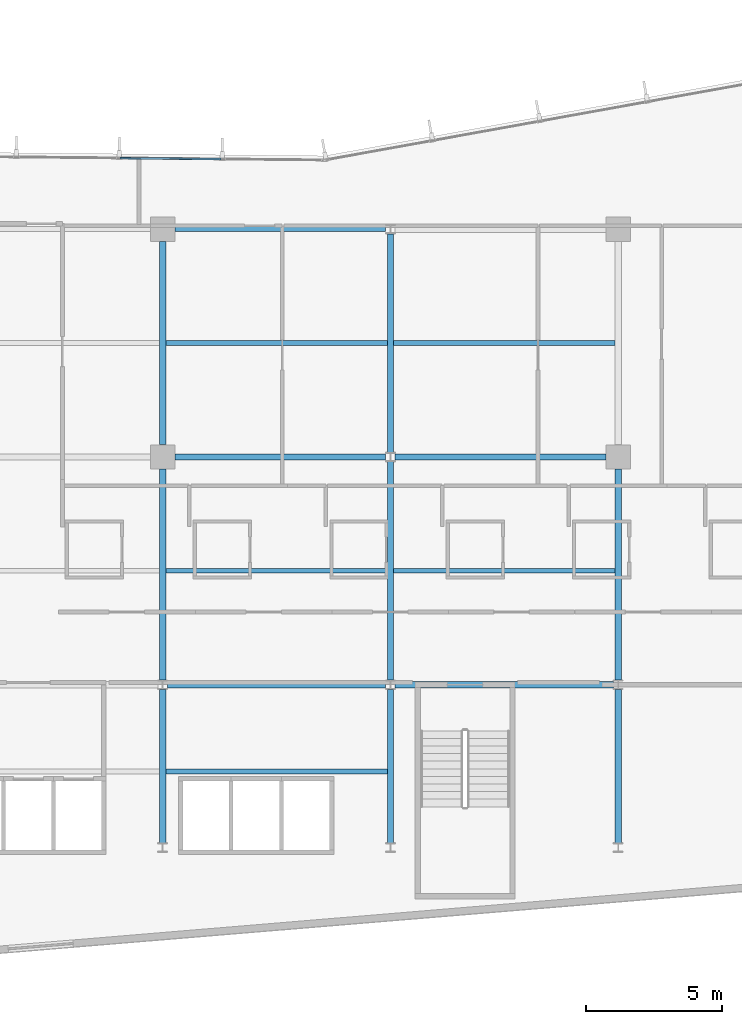
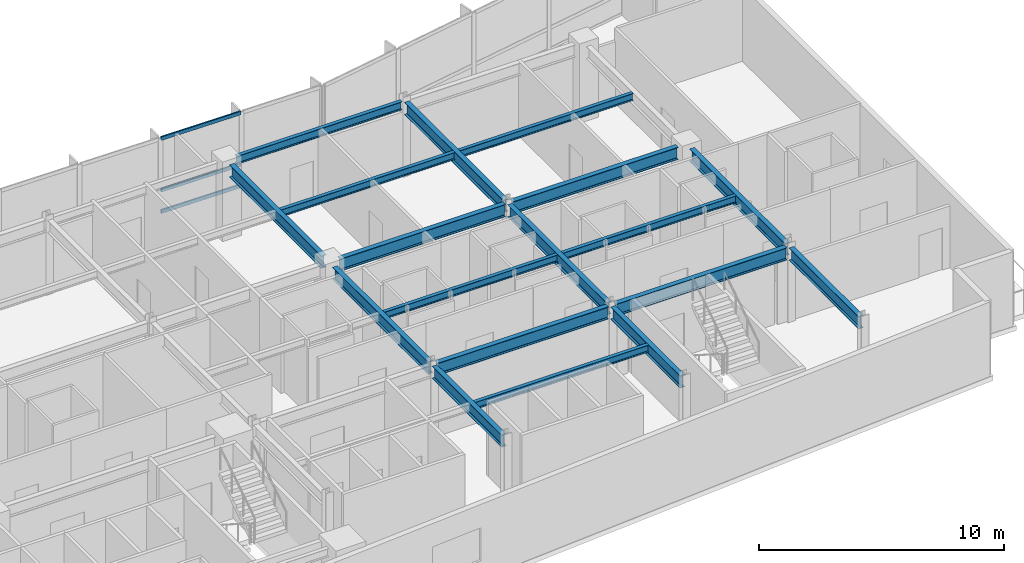
# One storey, part 5 of 19: 18 beams, 3 members, 1 element without a shape of its own.
"""IFC4 building model written with IfcOpenShell, lengths in metres."""

from ifc_helpers import new_model, si_unit, direction, frame, origin, origin_2d, place, context, subcontext, project, spatial, hollow_rectangle, i_section, extrude, material, layer, layer_set, material_profile, profile_set, type_object, element, aggregate, save


model = new_model("IFC4")

# Units and contexts
model_context = context("Model", 3, precision=1e-05, world=origin(), true_north=direction((0.0, 1.0)))
body_context = subcontext(model_context, "Body", "Model", "MODEL_VIEW")
ifc_project = project(units=[si_unit("LENGTHUNIT", "METRE"), si_unit("AREAUNIT", "SQUARE_METRE"), si_unit("VOLUMEUNIT", "CUBIC_METRE"), si_unit("PLANEANGLEUNIT", "RADIAN"), si_unit("MASSUNIT", "GRAM", prefix="KILO")], contexts=[model_context])

# Site, building, storey
site_placement = place(None, origin())
site = spatial("IfcSite", under=ifc_project, at=site_placement, CompositionType="ELEMENT")
building_placement = place(site_placement, origin())
building = spatial("IfcBuilding", under=site, at=building_placement, Name="Varnakote Quay Hospital", CompositionType="ELEMENT")
storey_placement = place(building_placement, frame((0.0, 0.0, 50.14990234375)))
storey = spatial("IfcBuildingStorey", under=building, at=storey_placement, Name="L12", CompositionType="ELEMENT", Elevation=50.14990234375)

# Beams
ifc_material_1 = material(Name="Structural steel AS/NZS 3679.1 Grade 350 L0 (fy 340 MPa)", Category="steel")
ifc_material_profile_1 = material_profile(ifc_material_1, i_section(OverallWidth=0.22900390625, OverallDepth=0.612060546875, WebThickness=0.011962890625, FlangeThickness=0.01953125, FilletRadius=0.013916015625, at=origin_2d()), Name="610UB125")
ifc_profile_set_1 = profile_set([ifc_material_profile_1], Name="Structural steel AS/NZS 3679.1 Grade 350 L0 (fy 340 MPa)")
beam_type_1 = type_object("IfcBeamType", Name="BM-STL-610UB125", PredefinedType="BEAM", material=ifc_profile_set_1)
for number, where, z_axis, x_axis, name in (
    (1, (33.77490234375, 12.0, 3.404052734375), (1.0, 0.0, 0.0), (0.0, 1.0, 0.0), "L12 Primary Floor Beam"),
    (2, (42.175048828125, 12.0, 3.404052734375), (1.0, 0.0, 0.0), (0.0, 1.0, 0.0), "L12 Primary Floor Beam"),
):
    element("IfcBeam", number, at=place(storey_placement, frame(where, z_axis=z_axis, x_axis=x_axis)), inside=storey, type_object=beam_type_1, Name=name, PredefinedType="BEAM", context=body_context, shape_type="SweptSolid", body=[
        extrude(i_section(OverallWidth=0.22900390625, OverallDepth=0.612060546875, WebThickness=0.011962890625, FlangeThickness=0.01953125, FilletRadius=0.013916015625, at=origin_2d()), origin(), (0.0, 0.0, 1.0), 8.050048828125),
    ])
for number, where, z_axis, x_axis, name in (
    (3, (34.050048828125, 20.39990234375, 3.404052734375), (1.0, 0.0, 0.0), (0.0, 1.0, 0.0), "L12 Primary Floor Beam"),
    (4, (42.175048828125, 20.39990234375, 3.404052734375), (1.0, 0.0, 0.0), (0.0, 1.0, 0.0), "L12 Primary Floor Beam"),
):
    element("IfcBeam", number, at=place(storey_placement, frame(where, z_axis=z_axis, x_axis=x_axis)), inside=storey, type_object=beam_type_1, Name=name, PredefinedType="BEAM", context=body_context, shape_type="SweptSolid", body=[
        extrude(i_section(OverallWidth=0.22900390625, OverallDepth=0.612060546875, WebThickness=0.011962890625, FlangeThickness=0.01953125, FilletRadius=0.013916015625, at=origin_2d()), origin(), (0.0, 0.0, 1.0), 7.77490234375),
    ])
beam_1_placement = place(storey_placement, frame((33.60009765625, 6.169921875, 3.404052734375), z_axis=(0.0, 1.0, 0.0), x_axis=(-1.0, 0.0, 0.0)))
element("IfcBeam", 5, at=beam_1_placement, inside=storey, type_object=beam_type_1, Name="L12 Primary Tie Beam", PredefinedType="BEAM", context=body_context, shape_type="SweptSolid", body=[
    extrude(i_section(OverallWidth=0.22900390625, OverallDepth=0.612060546875, WebThickness=0.011962890625, FlangeThickness=0.01953125, FilletRadius=0.013916015625, at=origin_2d()), origin(), (0.0, 0.0, 1.0), 5.66015625),
])
beam_2_placement = place(storey_placement, frame((33.60009765625, 12.169921875, 3.404052734375), z_axis=(0.0, 1.0, 0.0), x_axis=(-1.0, 0.0, 0.0)))
element("IfcBeam", 6, at=beam_2_placement, inside=storey, type_object=beam_type_1, Name="L12 Primary Tie Beam", PredefinedType="BEAM", context=body_context, shape_type="SweptSolid", body=[
    extrude(i_section(OverallWidth=0.22900390625, OverallDepth=0.612060546875, WebThickness=0.011962890625, FlangeThickness=0.01953125, FilletRadius=0.013916015625, at=origin_2d()), origin(), (0.0, 0.0, 1.0), 7.780029296875),
])
beam_3_placement = place(storey_placement, frame((33.60009765625, 20.85009765625, 3.404052734375), z_axis=(0.0, 1.0, 0.0), x_axis=(-1.0, 0.0, 0.0)))
element("IfcBeam", 7, at=beam_3_placement, inside=storey, type_object=beam_type_1, Name="L12 Primary Tie Beam", PredefinedType="BEAM", context=body_context, shape_type="SweptSolid", body=[
    extrude(i_section(OverallWidth=0.22900390625, OverallDepth=0.612060546875, WebThickness=0.011962890625, FlangeThickness=0.01953125, FilletRadius=0.013916015625, at=origin_2d()), origin(), (0.0, 0.0, 1.0), 7.5),
])
beam_4_placement = place(storey_placement, frame((42.0, 6.169921875, 3.404052734375), z_axis=(0.0, 1.0, 0.0), x_axis=(-1.0, 0.0, 0.0)))
element("IfcBeam", 8, at=beam_4_placement, inside=storey, type_object=beam_type_1, Name="L12 Primary Tie Beam", PredefinedType="BEAM", context=body_context, shape_type="SweptSolid", body=[
    extrude(i_section(OverallWidth=0.22900390625, OverallDepth=0.612060546875, WebThickness=0.011962890625, FlangeThickness=0.01953125, FilletRadius=0.013916015625, at=origin_2d()), origin(), (0.0, 0.0, 1.0), 5.66015625),
])
beam_5_placement = place(storey_placement, frame((42.0, 12.169921875, 3.404052734375), z_axis=(0.0, 1.0, 0.0), x_axis=(-1.0, 0.0, 0.0)))
element("IfcBeam", 9, at=beam_5_placement, inside=storey, type_object=beam_type_1, Name="L12 Primary Tie Beam", PredefinedType="BEAM", context=body_context, shape_type="SweptSolid", body=[
    extrude(i_section(OverallWidth=0.22900390625, OverallDepth=0.612060546875, WebThickness=0.011962890625, FlangeThickness=0.01953125, FilletRadius=0.013916015625, at=origin_2d()), origin(), (0.0, 0.0, 1.0), 8.06005859375),
])
beam_6_placement = place(storey_placement, frame((42.0, 20.570068359375, 3.404052734375), z_axis=(0.0, 1.0, 0.0), x_axis=(-1.0, 0.0, 0.0)))
element("IfcBeam", 10, at=beam_6_placement, inside=storey, type_object=beam_type_1, Name="L12 Primary Tie Beam", PredefinedType="BEAM", context=body_context, shape_type="SweptSolid", body=[
    extrude(i_section(OverallWidth=0.22900390625, OverallDepth=0.612060546875, WebThickness=0.011962890625, FlangeThickness=0.01953125, FilletRadius=0.013916015625, at=origin_2d()), origin(), (0.0, 0.0, 1.0), 8.059814453125),
])
beam_7_placement = place(storey_placement, frame((50.39990234375, 6.169921875, 3.404052734375), z_axis=(0.0, 1.0, 0.0), x_axis=(-1.0, 0.0, 0.0)))
element("IfcBeam", 11, at=beam_7_placement, inside=storey, type_object=beam_type_1, Name="L12 Primary Tie Beam", PredefinedType="BEAM", context=body_context, shape_type="SweptSolid", body=[
    extrude(i_section(OverallWidth=0.22900390625, OverallDepth=0.612060546875, WebThickness=0.011962890625, FlangeThickness=0.01953125, FilletRadius=0.013916015625, at=origin_2d()), origin(), (0.0, 0.0, 1.0), 5.66015625),
])
beam_8_placement = place(storey_placement, frame((50.39990234375, 12.169921875, 3.404052734375), z_axis=(0.0, 1.0, 0.0), x_axis=(-1.0, 0.0, 0.0)))
element("IfcBeam", 12, at=beam_8_placement, inside=storey, type_object=beam_type_1, Name="L12 Primary Tie Beam", PredefinedType="BEAM", context=body_context, shape_type="SweptSolid", body=[
    extrude(i_section(OverallWidth=0.22900390625, OverallDepth=0.612060546875, WebThickness=0.011962890625, FlangeThickness=0.01953125, FilletRadius=0.013916015625, at=origin_2d()), origin(), (0.0, 0.0, 1.0), 7.780029296875),
])

# Curtain wall, members
ifc_material_2 = material(Name="Anodised aluminium 6063-T6 Bronze", Category="aluminium")
ifc_layer = layer(ifc_material_2, 0.18994140625)
ifc_layer_set = layer_set([ifc_layer], Name="Anodised aluminium 6063-T6 Bronze")
curtain_wall_type = type_object("IfcCurtainWallType", Name="CW-SYS-2", PredefinedType="NOTDEFINED", material=ifc_layer_set)
curtain_wall_placement = place(storey_placement, origin())
curtain_wall = element("IfcCurtainWall", 13, at=curtain_wall_placement, inside=storey, type_object=curtain_wall_type, Name="L12 Unitised Bronze Curtain Wall 2", PredefinedType="NOTDEFINED")
ifc_material_3 = material(Name="Anodised aluminium 6063-T6 Bronze", Category="aluminium")
ifc_material_profile_2 = material_profile(ifc_material_3, hollow_rectangle(XDim=0.074951171875, YDim=0.179931640625, WallThickness=0.004150390625, InnerFilletRadius=0.004150390625, OuterFilletRadius=0.00830078125, at=origin_2d()), Name="CW-TRAN-180x75")
ifc_profile_set_2 = profile_set([ifc_material_profile_2], Name="Anodised aluminium 6063-T6 Bronze")
member_type = type_object("IfcMemberType", Name="CW-TRAN-180x75", PredefinedType="USERDEFINED", material=ifc_profile_set_2)
member_1_placement = place(storey_placement, frame((35.756591796875, 31.38134765625, 0.03759765625), z_axis=(-0.999952203239, 0.009777077123, 0.0), x_axis=(-0.009777077123, -0.999952203239, 0.0)))
member_1 = element("IfcMember", 14, at=member_1_placement, type_object=member_type, Name="-2-L12-2 transom 2.1", ObjectType="TRANSOM", PredefinedType="USERDEFINED", context=body_context, shape_type="SweptSolid", body=[
    extrude(hollow_rectangle(XDim=0.074951171875, YDim=0.179931640625, WallThickness=0.004150390625, InnerFilletRadius=0.004150390625, OuterFilletRadius=0.00830078125, at=origin_2d()), origin(), (0.0, 0.0, 1.0), 3.720703125),
])
member_2_placement = place(storey_placement, frame((35.756591796875, 31.38134765625, 1.10009765625), z_axis=(-0.999952203239, 0.009777077123, 0.0), x_axis=(-0.009777077123, -0.999952203239, 0.0)))
member_2 = element("IfcMember", 15, at=member_2_placement, type_object=member_type, Name="-2-L12-2 transom 2.2", ObjectType="TRANSOM", PredefinedType="USERDEFINED", context=body_context, shape_type="SweptSolid", body=[
    extrude(hollow_rectangle(XDim=0.074951171875, YDim=0.179931640625, WallThickness=0.004150390625, InnerFilletRadius=0.004150390625, OuterFilletRadius=0.00830078125, at=origin_2d()), origin(), (0.0, 0.0, 1.0), 3.720703125),
])
member_3_placement = place(storey_placement, frame((35.756591796875, 31.38134765625, 3.672607421875), z_axis=(-0.999952203239, 0.009777077123, 0.0), x_axis=(-0.009777077123, -0.999952203239, 0.0)))
member_3 = element("IfcMember", 16, at=member_3_placement, type_object=member_type, Name="-2-L12-2 transom 2.3", ObjectType="TRANSOM", PredefinedType="USERDEFINED", context=body_context, shape_type="SweptSolid", body=[
    extrude(hollow_rectangle(XDim=0.074951171875, YDim=0.179931640625, WallThickness=0.004150390625, InnerFilletRadius=0.004150390625, OuterFilletRadius=0.00830078125, at=origin_2d()), origin(), (0.0, 0.0, 1.0), 3.720703125),
])
aggregate(curtain_wall, [member_1, member_2, member_3])

# Beams
ifc_material_4 = material(Name="Structural steel AS/NZS 3679.1 Grade 350 L0 (fy 340 MPa)", Category="steel")
ifc_material_profile_3 = material_profile(ifc_material_4, i_section(OverallWidth=0.1708984375, OverallDepth=0.35595703125, WebThickness=0.00732421875, FlangeThickness=0.011474609375, FilletRadius=0.011474609375, at=origin_2d()), Name="360UB50.7")
ifc_profile_set_3 = profile_set([ifc_material_profile_3], Name="Structural steel AS/NZS 3679.1 Grade 350 L0 (fy 340 MPa)")
beam_type_2 = type_object("IfcBeamType", Name="JST-STL-360UB50-7", PredefinedType="JOIST", material=ifc_profile_set_3)
for number, where, z_axis, x_axis, name in (
    (17, (33.714599609375, 8.800048828125, 3.531982421875), (1.0, 0.0, 0.0), (0.0, 1.0, 0.0), "L12 Composite Floor Joist"),
    (18, (33.714599609375, 16.199951171875, 3.531982421875), (1.0, 0.0, 0.0), (0.0, 1.0, 0.0), "L12 Composite Floor Joist"),
    (19, (42.114501953125, 16.199951171875, 3.531982421875), (1.0, 0.0, 0.0), (0.0, 1.0, 0.0), "L12 Composite Floor Joist"),
    (20, (33.714599609375, 24.60009765625, 3.531982421875), (1.0, 0.0, 0.0), (0.0, 1.0, 0.0), "L12 Composite Floor Joist"),
    (21, (42.114501953125, 24.60009765625, 3.531982421875), (1.0, 0.0, 0.0), (0.0, 1.0, 0.0), "L12 Composite Floor Joist"),
):
    element("IfcBeam", number, at=place(storey_placement, frame(where, z_axis=z_axis, x_axis=x_axis)), inside=storey, type_object=beam_type_2, Name=name, PredefinedType="JOIST", context=body_context, shape_type="SweptSolid", body=[
        extrude(i_section(OverallWidth=0.1708984375, OverallDepth=0.35595703125, WebThickness=0.00732421875, FlangeThickness=0.011474609375, FilletRadius=0.011474609375, at=origin_2d()), origin(), (0.0, 0.0, 1.0), 8.1708984375),
    ])
ifc_material_5 = material(Name="Structural steel AS/NZS 3679.1 Grade 350 L0 (fy 340 MPa)", Category="steel")
ifc_material_profile_4 = material_profile(ifc_material_5, i_section(OverallWidth=0.177978515625, OverallDepth=0.406005859375, WebThickness=0.0078125, FlangeThickness=0.0126953125, FilletRadius=0.011474609375, at=origin_2d()), Name="410UB59.7")
ifc_profile_set_4 = profile_set([ifc_material_profile_4], Name="Structural steel AS/NZS 3679.1 Grade 350 L0 (fy 340 MPa)")
beam_type_3 = type_object("IfcBeamType", Name="SPN-STL-410UB59-7", PredefinedType="SPANDREL", material=ifc_profile_set_4)
beam_9_placement = place(storey_placement, frame((34.050048828125, 28.800048828125, 3.507080078125), z_axis=(1.0, 0.0, 0.0), x_axis=(0.0, 1.0, 0.0)))
element("IfcBeam", 22, at=beam_9_placement, inside=storey, type_object=beam_type_3, Name="L12 Perimeter Spandrel Beam", PredefinedType="SPANDREL", context=body_context, shape_type="SweptSolid", body=[
    extrude(i_section(OverallWidth=0.177978515625, OverallDepth=0.406005859375, WebThickness=0.0078125, FlangeThickness=0.0126953125, FilletRadius=0.011474609375, at=origin_2d()), origin(), (0.0, 0.0, 1.0), 7.77490234375),
])

save(model, "model.ifc")
